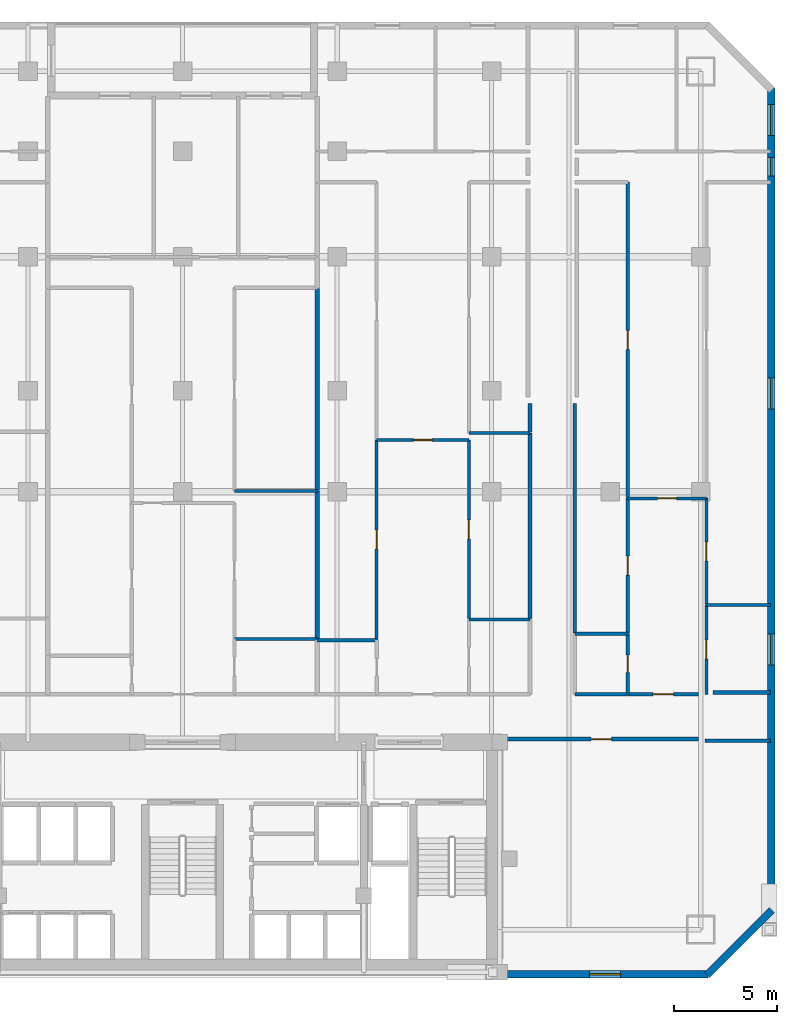
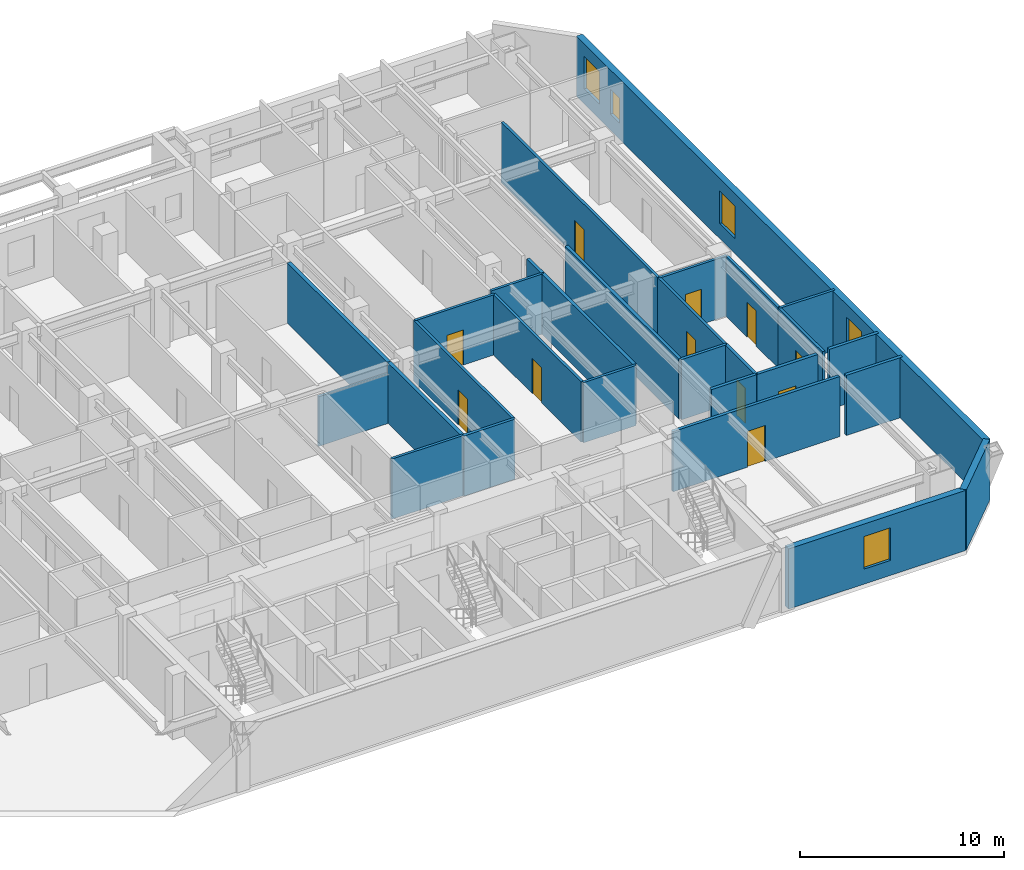
# One storey, part 6 of 10: 29 walls, 11 doors, 5 windows, 16 openings.
"""IFC4 building model written with IfcOpenShell, lengths in metres."""

from ifc_helpers import new_model, si_unit, direction, frame, frame_2d, origin, place, context, subcontext, project, spatial, rectangle, extrude, material, layer, layer_set, type_object, element, fill, save


model = new_model("IFC4")

# Units and contexts
model_context = context("Model", 3, precision=1e-05, world=origin(), true_north=direction((0.0, 1.0)))
body_context = subcontext(model_context, "Body", "Model", "MODEL_VIEW")
ifc_project = project(units=[si_unit("LENGTHUNIT", "METRE"), si_unit("AREAUNIT", "SQUARE_METRE"), si_unit("VOLUMEUNIT", "CUBIC_METRE"), si_unit("PLANEANGLEUNIT", "RADIAN"), si_unit("MASSUNIT", "GRAM", prefix="KILO")], contexts=[model_context])

# Site, building, storey
site_placement = place(None, origin())
site = spatial("IfcSite", under=ifc_project, at=site_placement, CompositionType="ELEMENT")
building_placement = place(site_placement, origin())
building = spatial("IfcBuilding", under=site, at=building_placement, Name="Ventersveld Concourse Tower", CompositionType="ELEMENT")
storey_placement = place(building_placement, frame((0.0, 0.0, 56.75)))
storey = spatial("IfcBuildingStorey", under=building, at=storey_placement, Name="L13", CompositionType="ELEMENT", Elevation=56.75)

# Wall, opening, door
ifc_material_1 = material(Name="Fire-rated autoclaved aerated masonry blockwork", Category="masonry")
ifc_layer_1 = layer(ifc_material_1, 0.179931640625)
ifc_layer_set_1 = layer_set([ifc_layer_1], Name="Fire-rated autoclaved aerated masonry blockwork")
wall_type_1 = type_object("IfcWallType", Name="WL-CORR-180", PredefinedType="PARTITIONING", material=ifc_layer_set_1)
wall_1_placement = place(storey_placement, frame((44.35498046875, 11.60009765625, 0.0), z_axis=(0.0, 0.0, 1.0), x_axis=(1.0, 0.0, 0.0)))
wall_1 = element("IfcWall", 1, at=wall_1_placement, inside=storey, type_object=wall_type_1, Name="L13 Interior Partition SP-L13-SE-OFF-SP-L13-COR", PredefinedType="PARTITIONING", context=body_context, shape_type="SweptSolid", body=[
    extrude(rectangle(XDim=9.43994140625, YDim=0.179931640625, at=frame_2d((4.719970703125, 0.0))), origin(), (0.0, 0.0, 1.0), 3.60009765625),
])
opening_1_placement = place(wall_1_placement, frame((4.219970703125, 0.0, 0.0)))
opening_1 = element("IfcOpeningElement", 2, at=opening_1_placement, cuts=wall_1, Name="Opening FD3", PredefinedType="OPENING", context=body_context, shape_type="SweptSolid", body=[
    extrude(rectangle(XDim=1.0, YDim=2.14990234375, at=frame_2d((0.5, 1.074951171875))), frame((0.0, 0.10009765625, 0.0), z_axis=(0.0, -1.0, 0.0), x_axis=(1.0, 0.0, 0.0)), (0.0, 0.0, 1.0), 0.199951171875),
])
ifc_material_2 = material(Name="Solid-core hardwood veneer timber", Category="wood")
door_type_1 = type_object("IfcDoorType", Name="DR-FLAT-100", OperationType="NOTDEFINED", PredefinedType="DOOR", material=ifc_material_2)
door_1_placement = place(opening_1_placement, origin())
door_1 = element("IfcDoor", 3, at=door_1_placement, inside=storey, type_object=door_type_1, Name="L13 Interior Door SP-L13-SE-OFF to SP-L13-COR (D-L13-0543)", OperationType="SINGLE_SWING_LEFT", OverallHeight=2.14990234375, OverallWidth=1.0, PredefinedType="DOOR", context=body_context, shape_type="SweptSolid", body=[
    extrude(rectangle(XDim=1.0, YDim=2.14990234375, at=frame_2d((0.5, 1.074951171875))), frame((0.0, 0.02490234375, 0.0), z_axis=(0.0, -1.0, 0.0), x_axis=(1.0, 0.0, 0.0)), (0.0, 0.0, 1.0), 0.050048828125),
])
fill(opening_1, door_1)

wall_2_placement = place(storey_placement, frame((50.35009765625, 13.77001953125, 0.0), z_axis=(0.0, 0.0, 1.0), x_axis=(1.0, 0.0, 0.0)))
wall_2 = element("IfcWall", 4, at=wall_2_placement, inside=storey, type_object=wall_type_1, Name="L13 Interior Partition SP-L13-COR-SP-L13-13NE-FOY", PredefinedType="PARTITIONING", context=body_context, shape_type="SweptSolid", body=[
    extrude(rectangle(XDim=3.44482421875, YDim=0.179931640625, at=frame_2d((1.722412109375, 0.0))), origin(), (0.0, 0.0, 1.0), 3.60009765625),
])
opening_2_placement = place(wall_2_placement, frame((1.222412109375, 0.0, 0.0)))
opening_2 = element("IfcOpeningElement", 5, at=opening_2_placement, cuts=wall_2, Name="Opening FD3", PredefinedType="OPENING", context=body_context, shape_type="SweptSolid", body=[
    extrude(rectangle(XDim=1.0, YDim=2.14990234375, at=frame_2d((0.5, 1.074951171875))), frame((0.0, 0.10009765625, 0.0), z_axis=(0.0, -1.0, 0.0), x_axis=(1.0, 0.0, 0.0)), (0.0, 0.0, 1.0), 0.199951171875),
])
door_2_placement = place(opening_2_placement, origin())
door_2 = element("IfcDoor", 6, at=door_2_placement, inside=storey, type_object=door_type_1, Name="L13 Interior Door SP-L13-COR to SP-L13-13NE-FOY (FD-L13-0545)", OperationType="SINGLE_SWING_LEFT", OverallHeight=2.14990234375, OverallWidth=1.0, PredefinedType="DOOR", context=body_context, shape_type="SweptSolid", body=[
    extrude(rectangle(XDim=1.0, YDim=2.14990234375, at=frame_2d((0.5, 1.074951171875))), frame((0.0, 0.02490234375, 0.0), z_axis=(0.0, -1.0, 0.0), x_axis=(1.0, 0.0, 0.0)), (0.0, 0.0, 1.0), 0.050048828125),
])
fill(opening_2, door_2)

# Walls
wall_3_placement = place(storey_placement, frame((47.784912109375, 13.77001953125, 0.0), z_axis=(0.0, 0.0, 1.0), x_axis=(1.0, 0.0, 0.0)))
element("IfcWall", 7, at=wall_3_placement, inside=storey, type_object=wall_type_1, Name="L13 Interior Partition SP-L13-COR-SP-L13-13NE-BATH", PredefinedType="PARTITIONING", context=body_context, shape_type="SweptSolid", body=[
    extrude(rectangle(XDim=2.535400390625, YDim=0.179931640625, at=frame_2d((1.267578125, 0.0))), origin(), (0.0, 0.0, 1.0), 3.60009765625),
])
wall_4_placement = place(storey_placement, frame((47.7900390625, 16.752197265625, 0.0), z_axis=(0.0, 0.0, 1.0), x_axis=(0.0, 1.0, 0.0)))
element("IfcWall", 8, at=wall_4_placement, inside=storey, type_object=wall_type_1, Name="L13 Interior Partition SP-L13-COR-SP-L13-13NE-SEML0", PredefinedType="PARTITIONING", context=body_context, shape_type="SweptSolid", body=[
    extrude(rectangle(XDim=11.142822265625, YDim=0.179931640625, at=frame_2d((5.5712890625, 0.0))), origin(), (0.0, 0.0, 1.0), 3.60009765625),
])
wall_5_placement = place(storey_placement, frame((45.610107421875, 17.438232421875, 0.0), z_axis=(0.0, 0.0, 1.0), x_axis=(0.0, 1.0, 0.0)))
element("IfcWall", 9, at=wall_5_placement, inside=storey, type_object=wall_type_1, Name="L13 Interior Partition SP-L13-COR-SP-L13-13CE-DENR", PredefinedType="PARTITIONING", context=body_context, shape_type="SweptSolid", body=[
    extrude(rectangle(XDim=9.024169921875, YDim=0.179931640625, at=frame_2d((4.51220703125, 0.0))), origin(), (0.0, 0.0, 1.0), 3.60009765625),
])
wall_6_placement = place(storey_placement, frame((45.610107421875, 26.492431640625, 0.0), z_axis=(0.0, 0.0, 1.0), x_axis=(0.0, 1.0, 0.0)))
element("IfcWall", 10, at=wall_6_placement, inside=storey, type_object=wall_type_1, Name="L13 Interior Partition SP-L13-COR-SP-L13-13CE-DENS", PredefinedType="PARTITIONING", context=body_context, shape_type="SweptSolid", body=[
    extrude(rectangle(XDim=1.402587890625, YDim=0.179931640625, at=frame_2d((0.701171875, 0.0))), origin(), (0.0, 0.0, 1.0), 3.60009765625),
])
wall_7_placement = place(storey_placement, frame((54.1123046875, 11.52001953125, 0.0), z_axis=(0.0, 0.0, 1.0), x_axis=(1.0, 0.0, 0.0)))
element("IfcWall", 11, at=wall_7_placement, inside=storey, type_object=wall_type_1, Name="L13 Room Enclosure Wall SP-L13-SE-OFF", PredefinedType="PARTITIONING", context=body_context, shape_type="SweptSolid", body=[
    extrude(rectangle(XDim=3.177734375, YDim=0.179931640625, at=frame_2d((1.5888671875, 0.0))), origin(), (0.0, 0.0, 1.0), 3.60009765625),
])
wall_8_placement = place(storey_placement, frame((57.2900390625, 13.860107421875, 0.0), z_axis=(0.0, 0.0, 1.0), x_axis=(-1.0, 0.0, 0.0)))
element("IfcWall", 12, at=wall_8_placement, inside=storey, type_object=wall_type_1, Name="L13 Room Enclosure Wall SP-L13-13NE-KIT", PredefinedType="PARTITIONING", context=body_context, shape_type="SweptSolid", body=[
    extrude(rectangle(XDim=2.787841796875, YDim=0.179931640625, at=frame_2d((1.39404296875, 0.0))), origin(), (0.0, 0.0, 1.0), 3.60009765625),
])
ifc_layer_2 = layer(ifc_material_1, 0.199951171875)
ifc_layer_set_2 = layer_set([ifc_layer_2], Name="Fire-rated autoclaved aerated masonry blockwork")
wall_type_2 = type_object("IfcWallType", Name="WL-DEMISE-200", PredefinedType="PARTITIONING", material=ifc_layer_set_2)
wall_9_placement = place(storey_placement, frame((35.2900390625, 16.44287109375, 0.0), z_axis=(0.0, 0.0, 1.0), x_axis=(0.0, 1.0, 0.0)))
element("IfcWall", 13, at=wall_9_placement, inside=storey, type_object=wall_type_2, Name="L13 Interior Partition SP-L13-13CE-DENL-SP-L13-13CM-DENR", PredefinedType="PARTITIONING", context=body_context, shape_type="SweptSolid", body=[
    extrude(rectangle(XDim=7.1953125, YDim=0.199951171875, at=frame_2d((3.59765625, 0.0))), origin(), (0.0, 0.0, 1.0), 3.60009765625),
])
wall_10_placement = place(storey_placement, frame((35.2900390625, 23.668212890625, 0.0), z_axis=(0.0, 0.0, 1.0), x_axis=(0.0, 1.0, 0.0)))
element("IfcWall", 14, at=wall_10_placement, inside=storey, type_object=wall_type_2, Name="L13 Interior Partition SP-L13-13CE-DENL-SP-L13-13CM-DENS", PredefinedType="PARTITIONING", context=body_context, shape_type="SweptSolid", body=[
    extrude(rectangle(XDim=9.796875, YDim=0.199951171875, at=frame_2d((4.8984375, 0.0))), origin(), (0.0, 0.0, 1.0), 3.60009765625),
])

# Wall, opening, door
ifc_material_3 = material(Name="Autoclaved aerated masonry blockwork", Category="masonry")
ifc_layer_3 = layer(ifc_material_3, 0.14990234375)
ifc_layer_set_3 = layer_set([ifc_layer_3], Name="Autoclaved aerated masonry blockwork")
wall_type_3 = type_object("IfcWallType", Name="WL-INT-150", PredefinedType="PARTITIONING", material=ifc_layer_set_3)
wall_11_placement = place(storey_placement, frame((50.35009765625, 23.2822265625, 0.0), z_axis=(0.0, 0.0, 1.0), x_axis=(1.0, 0.0, 0.0)))
wall_11 = element("IfcWall", 15, at=wall_11_placement, inside=storey, type_object=wall_type_3, Name="L13 Interior Partition SP-L13-13NE-FOY-SP-L13-13NE-LIV", PredefinedType="PARTITIONING", context=body_context, shape_type="SweptSolid", body=[
    extrude(rectangle(XDim=3.83203125, YDim=0.14990234375, at=frame_2d((1.916015625, 0.0))), origin(), (0.0, 0.0, 1.0), 3.60009765625),
])
opening_3_placement = place(wall_11_placement, frame((1.4560546875, 0.0, 0.0)))
opening_3 = element("IfcOpeningElement", 16, at=opening_3_placement, cuts=wall_11, Name="Opening ID1", PredefinedType="OPENING", context=body_context, shape_type="SweptSolid", body=[
    extrude(rectangle(XDim=0.919921875, YDim=2.10009765625, at=frame_2d((0.4599609375, 1.050048828125))), frame((0.0, 0.0849609375, 0.0), z_axis=(0.0, -1.0, 0.0), x_axis=(1.0, 0.0, 0.0)), (0.0, 0.0, 1.0), 0.169921875),
])
door_type_2 = type_object("IfcDoorType", Name="DR-ROOM-092", OperationType="NOTDEFINED", PredefinedType="DOOR", material=ifc_material_2)
door_3_placement = place(opening_3_placement, origin())
door_3 = element("IfcDoor", 17, at=door_3_placement, inside=storey, type_object=door_type_2, Name="L13 Interior Door SP-L13-13NE-FOY to SP-L13-13NE-LIV (D-L13-0559)", OperationType="SINGLE_SWING_LEFT", OverallHeight=2.10009765625, OverallWidth=0.919921875, PredefinedType="DOOR", context=body_context, shape_type="SweptSolid", body=[
    extrude(rectangle(XDim=0.919921875, YDim=2.10009765625, at=frame_2d((0.4599609375, 1.050048828125))), frame((0.0, 0.02490234375, 0.0), z_axis=(0.0, -1.0, 0.0), x_axis=(1.0, 0.0, 0.0)), (0.0, 0.0, 1.0), 0.050048828125),
])
fill(opening_3, door_3)

wall_12_placement = place(storey_placement, frame((50.355224609375, 16.752197265625, 0.0), z_axis=(0.0, 0.0, 1.0), x_axis=(0.0, 1.0, 0.0)))
wall_12 = element("IfcWall", 18, at=wall_12_placement, inside=storey, type_object=wall_type_3, Name="L13 Interior Partition SP-L13-13NE-FOY-SP-L13-13NE-SEML0", PredefinedType="PARTITIONING", context=body_context, shape_type="SweptSolid", body=[
    extrude(rectangle(XDim=6.534912109375, YDim=0.14990234375, at=frame_2d((3.267578125, 0.0))), origin(), (0.0, 0.0, 1.0), 3.60009765625),
])
opening_4_placement = place(wall_12_placement, frame((2.8076171875, 0.0, 0.0)))
opening_4 = element("IfcOpeningElement", 19, at=opening_4_placement, cuts=wall_12, Name="Opening ID1", PredefinedType="OPENING", context=body_context, shape_type="SweptSolid", body=[
    extrude(rectangle(XDim=0.919921875, YDim=2.10009765625, at=frame_2d((0.4599609375, 1.050048828125))), frame((0.0, 0.0849609375, 0.0), z_axis=(0.0, -1.0, 0.0), x_axis=(1.0, 0.0, 0.0)), (0.0, 0.0, 1.0), 0.169921875),
])
door_4_placement = place(opening_4_placement, origin())
door_4 = element("IfcDoor", 20, at=door_4_placement, inside=storey, type_object=door_type_2, Name="L13 Interior Door SP-L13-13NE-FOY to SP-L13-13NE-SEML0 (D-L13-0561)", OperationType="SINGLE_SWING_LEFT", OverallHeight=2.10009765625, OverallWidth=0.919921875, PredefinedType="DOOR", context=body_context, shape_type="SweptSolid", body=[
    extrude(rectangle(XDim=0.919921875, YDim=2.10009765625, at=frame_2d((0.4599609375, 1.050048828125))), frame((0.0, 0.02490234375, 0.0), z_axis=(0.0, -1.0, 0.0), x_axis=(1.0, 0.0, 0.0)), (0.0, 0.0, 1.0), 0.050048828125),
])
fill(opening_4, door_4)

wall_13_placement = place(storey_placement, frame((54.17724609375, 13.764892578125, 0.0), z_axis=(0.0, 0.0, 1.0), x_axis=(0.0, 1.0, 0.0)))
wall_13 = element("IfcWall", 21, at=wall_13_placement, inside=storey, type_object=wall_type_3, Name="L13 Interior Partition SP-L13-13NE-FOY-SP-L13-13NE-KIT", PredefinedType="PARTITIONING", context=body_context, shape_type="SweptSolid", body=[
    extrude(rectangle(XDim=4.3408203125, YDim=0.14990234375, at=frame_2d((2.17041015625, 0.0))), origin(), (0.0, 0.0, 1.0), 3.60009765625),
])
opening_5_placement = place(wall_13_placement, frame((1.71044921875, 0.0, 0.0)))
opening_5 = element("IfcOpeningElement", 22, at=opening_5_placement, cuts=wall_13, Name="Opening ID1", PredefinedType="OPENING", context=body_context, shape_type="SweptSolid", body=[
    extrude(rectangle(XDim=0.919921875, YDim=2.10009765625, at=frame_2d((0.4599609375, 1.050048828125))), frame((0.0, 0.0849609375, 0.0), z_axis=(0.0, -1.0, 0.0), x_axis=(1.0, 0.0, 0.0)), (0.0, 0.0, 1.0), 0.169921875),
])
door_5_placement = place(opening_5_placement, origin())
door_5 = element("IfcDoor", 23, at=door_5_placement, inside=storey, type_object=door_type_2, Name="L13 Interior Door SP-L13-13NE-FOY to SP-L13-13NE-KIT (D-L13-0562)", OperationType="SINGLE_SWING_RIGHT", OverallHeight=2.10009765625, OverallWidth=0.919921875, PredefinedType="DOOR", context=body_context, shape_type="SweptSolid", body=[
    extrude(rectangle(XDim=0.919921875, YDim=2.10009765625, at=frame_2d((0.4599609375, 1.050048828125))), frame((0.0, 0.02490234375, 0.0), z_axis=(0.0, -1.0, 0.0), x_axis=(1.0, 0.0, 0.0)), (0.0, 0.0, 1.0), 0.050048828125),
])
fill(opening_5, door_5)

wall_14_placement = place(storey_placement, frame((54.17724609375, 18.1357421875, 0.0), z_axis=(0.0, 0.0, 1.0), x_axis=(0.0, 1.0, 0.0)))
wall_14 = element("IfcWall", 24, at=wall_14_placement, inside=storey, type_object=wall_type_3, Name="L13 Interior Partition SP-L13-13NE-FOY-SP-L13-13NE-DENR", PredefinedType="PARTITIONING", context=body_context, shape_type="SweptSolid", body=[
    extrude(rectangle(XDim=5.1513671875, YDim=0.14990234375, at=frame_2d((2.57568359375, 0.0))), origin(), (0.0, 0.0, 1.0), 3.60009765625),
])
opening_6_placement = place(wall_14_placement, frame((2.11572265625, 0.0, 0.0)))
opening_6 = element("IfcOpeningElement", 25, at=opening_6_placement, cuts=wall_14, Name="Opening ID1", PredefinedType="OPENING", context=body_context, shape_type="SweptSolid", body=[
    extrude(rectangle(XDim=0.919921875, YDim=2.10009765625, at=frame_2d((0.4599609375, 1.050048828125))), frame((0.0, 0.0849609375, 0.0), z_axis=(0.0, -1.0, 0.0), x_axis=(1.0, 0.0, 0.0)), (0.0, 0.0, 1.0), 0.169921875),
])
door_6_placement = place(opening_6_placement, origin())
door_6 = element("IfcDoor", 26, at=door_6_placement, inside=storey, type_object=door_type_2, Name="L13 Interior Door SP-L13-13NE-FOY to SP-L13-13NE-DENR (D-L13-0563)", OperationType="SINGLE_SWING_LEFT", OverallHeight=2.10009765625, OverallWidth=0.919921875, PredefinedType="DOOR", context=body_context, shape_type="SweptSolid", body=[
    extrude(rectangle(XDim=0.919921875, YDim=2.10009765625, at=frame_2d((0.4599609375, 1.050048828125))), frame((0.0, 0.02490234375, 0.0), z_axis=(0.0, -1.0, 0.0), x_axis=(1.0, 0.0, 0.0)), (0.0, 0.0, 1.0), 0.050048828125),
])
fill(opening_6, door_6)

wall_15_placement = place(storey_placement, frame((50.355224609375, 23.317138671875, 0.0), z_axis=(0.0, 0.0, 1.0), x_axis=(0.0, 1.0, 0.0)))
wall_15 = element("IfcWall", 27, at=wall_15_placement, inside=storey, type_object=wall_type_3, Name="L13 Interior Partition SP-L13-13NE-LIV-SP-L13-13NE-SEML0", PredefinedType="PARTITIONING", context=body_context, shape_type="SweptSolid", body=[
    extrude(rectangle(XDim=15.307861328125, YDim=0.14990234375, at=frame_2d((7.65380859375, 0.0))), origin(), (0.0, 0.0, 1.0), 3.60009765625),
])
opening_7_placement = place(wall_15_placement, frame((7.19384765625, 0.0, 0.0)))
opening_7 = element("IfcOpeningElement", 28, at=opening_7_placement, cuts=wall_15, Name="Opening ID1", PredefinedType="OPENING", context=body_context, shape_type="SweptSolid", body=[
    extrude(rectangle(XDim=0.919921875, YDim=2.10009765625, at=frame_2d((0.4599609375, 1.050048828125))), frame((0.0, 0.0849609375, 0.0), z_axis=(0.0, -1.0, 0.0), x_axis=(1.0, 0.0, 0.0)), (0.0, 0.0, 1.0), 0.169921875),
])
door_7_placement = place(opening_7_placement, origin())
door_7 = element("IfcDoor", 29, at=door_7_placement, inside=storey, type_object=door_type_2, Name="L13 Interior Door SP-L13-13NE-LIV to SP-L13-13NE-SEML0 (D-L13-0564)", OperationType="SINGLE_SWING_RIGHT", OverallHeight=2.10009765625, OverallWidth=0.919921875, PredefinedType="DOOR", context=body_context, shape_type="SweptSolid", body=[
    extrude(rectangle(XDim=0.919921875, YDim=2.10009765625, at=frame_2d((0.4599609375, 1.050048828125))), frame((0.0, 0.02490234375, 0.0), z_axis=(0.0, -1.0, 0.0), x_axis=(1.0, 0.0, 0.0)), (0.0, 0.0, 1.0), 0.050048828125),
])
fill(opening_7, door_7)

# Wall
wall_16_placement = place(storey_placement, frame((54.172119140625, 18.100830078125, 0.0), z_axis=(0.0, 0.0, 1.0), x_axis=(1.0, 0.0, 0.0)))
element("IfcWall", 30, at=wall_16_placement, inside=storey, type_object=wall_type_3, Name="L13 Interior Partition SP-L13-13NE-KIT-SP-L13-13NE-DENR", PredefinedType="PARTITIONING", context=body_context, shape_type="SweptSolid", body=[
    extrude(rectangle(XDim=3.117919921875, YDim=0.14990234375, at=frame_2d((1.55908203125, 0.0))), origin(), (0.0, 0.0, 1.0), 3.60009765625),
])

# Wall, opening, door
wall_17_placement = place(storey_placement, frame((38.16064453125, 26.11181640625, 0.0), z_axis=(0.0, 0.0, 1.0), x_axis=(1.0, 0.0, 0.0)))
wall_17 = element("IfcWall", 31, at=wall_17_placement, inside=storey, type_object=wall_type_3, Name="L13 Interior Partition SP-L13-13CE-FOY-SP-L13-13CE-LIV", PredefinedType="PARTITIONING", context=body_context, shape_type="SweptSolid", body=[
    extrude(rectangle(XDim=4.494384765625, YDim=0.14990234375, at=frame_2d((2.2470703125, 0.0))), origin(), (0.0, 0.0, 1.0), 3.60009765625),
])
opening_8_placement = place(wall_17_placement, frame((1.787109375, 0.0, 0.0)))
opening_8 = element("IfcOpeningElement", 32, at=opening_8_placement, cuts=wall_17, Name="Opening ID1", PredefinedType="OPENING", context=body_context, shape_type="SweptSolid", body=[
    extrude(rectangle(XDim=0.919921875, YDim=2.10009765625, at=frame_2d((0.4599609375, 1.050048828125))), frame((0.0, 0.0849609375, 0.0), z_axis=(0.0, -1.0, 0.0), x_axis=(1.0, 0.0, 0.0)), (0.0, 0.0, 1.0), 0.169921875),
])
door_8_placement = place(opening_8_placement, origin())
door_8 = element("IfcDoor", 33, at=door_8_placement, inside=storey, type_object=door_type_2, Name="L13 Interior Door SP-L13-13CE-FOY to SP-L13-13CE-LIV (D-L13-0577)", OperationType="SINGLE_SWING_LEFT", OverallHeight=2.10009765625, OverallWidth=0.919921875, PredefinedType="DOOR", context=body_context, shape_type="SweptSolid", body=[
    extrude(rectangle(XDim=0.919921875, YDim=2.10009765625, at=frame_2d((0.4599609375, 1.050048828125))), frame((0.0, 0.02490234375, 0.0), z_axis=(0.0, -1.0, 0.0), x_axis=(1.0, 0.0, 0.0)), (0.0, 0.0, 1.0), 0.050048828125),
])
fill(opening_8, door_8)

wall_18_placement = place(storey_placement, frame((38.16552734375, 16.433349609375, 0.0), z_axis=(0.0, 0.0, 1.0), x_axis=(0.0, 1.0, 0.0)))
wall_18 = element("IfcWall", 34, at=wall_18_placement, inside=storey, type_object=wall_type_3, Name="L13 Interior Partition SP-L13-13CE-FOY-SP-L13-13CE-DENL", PredefinedType="PARTITIONING", context=body_context, shape_type="SweptSolid", body=[
    extrude(rectangle(XDim=9.683349609375, YDim=0.14990234375, at=frame_2d((4.841796875, 0.0))), origin(), (0.0, 0.0, 1.0), 3.60009765625),
])
opening_9_placement = place(wall_18_placement, frame((4.381591796875, 0.0, 0.0)))
opening_9 = element("IfcOpeningElement", 35, at=opening_9_placement, cuts=wall_18, Name="Opening ID1", PredefinedType="OPENING", context=body_context, shape_type="SweptSolid", body=[
    extrude(rectangle(XDim=0.919921875, YDim=2.10009765625, at=frame_2d((0.4599609375, 1.050048828125))), frame((0.0, 0.0849609375, 0.0), z_axis=(0.0, -1.0, 0.0), x_axis=(1.0, 0.0, 0.0)), (0.0, 0.0, 1.0), 0.169921875),
])
door_9_placement = place(opening_9_placement, origin())
door_9 = element("IfcDoor", 36, at=door_9_placement, inside=storey, type_object=door_type_2, Name="L13 Interior Door SP-L13-13CE-FOY to SP-L13-13CE-DENL (D-L13-0579)", OperationType="SINGLE_SWING_LEFT", OverallHeight=2.10009765625, OverallWidth=0.919921875, PredefinedType="DOOR", context=body_context, shape_type="SweptSolid", body=[
    extrude(rectangle(XDim=0.919921875, YDim=2.10009765625, at=frame_2d((0.4599609375, 1.050048828125))), frame((0.0, 0.02490234375, 0.0), z_axis=(0.0, -1.0, 0.0), x_axis=(1.0, 0.0, 0.0)), (0.0, 0.0, 1.0), 0.050048828125),
])
fill(opening_9, door_9)

wall_19_placement = place(storey_placement, frame((42.64990234375, 17.438232421875, 0.0), z_axis=(0.0, 0.0, 1.0), x_axis=(0.0, 1.0, 0.0)))
wall_19 = element("IfcWall", 37, at=wall_19_placement, inside=storey, type_object=wall_type_3, Name="L13 Interior Partition SP-L13-13CE-FOY-SP-L13-13CE-DENR", PredefinedType="PARTITIONING", context=body_context, shape_type="SweptSolid", body=[
    extrude(rectangle(XDim=8.678466796875, YDim=0.14990234375, at=frame_2d((4.33935546875, 0.0))), origin(), (0.0, 0.0, 1.0), 3.60009765625),
])
opening_10_placement = place(wall_19_placement, frame((3.87939453125, 0.0, 0.0)))
opening_10 = element("IfcOpeningElement", 38, at=opening_10_placement, cuts=wall_19, Name="Opening ID1", PredefinedType="OPENING", context=body_context, shape_type="SweptSolid", body=[
    extrude(rectangle(XDim=0.919921875, YDim=2.10009765625, at=frame_2d((0.4599609375, 1.050048828125))), frame((0.0, 0.0849609375, 0.0), z_axis=(0.0, -1.0, 0.0), x_axis=(1.0, 0.0, 0.0)), (0.0, 0.0, 1.0), 0.169921875),
])
door_10_placement = place(opening_10_placement, origin())
door_10 = element("IfcDoor", 39, at=door_10_placement, inside=storey, type_object=door_type_2, Name="L13 Interior Door SP-L13-13CE-FOY to SP-L13-13CE-DENR (D-L13-0581)", OperationType="SINGLE_SWING_LEFT", OverallHeight=2.10009765625, OverallWidth=0.919921875, PredefinedType="DOOR", context=body_context, shape_type="SweptSolid", body=[
    extrude(rectangle(XDim=0.919921875, YDim=2.10009765625, at=frame_2d((0.4599609375, 1.050048828125))), frame((0.0, 0.02490234375, 0.0), z_axis=(0.0, -1.0, 0.0), x_axis=(1.0, 0.0, 0.0)), (0.0, 0.0, 1.0), 0.050048828125),
])
fill(opening_10, door_10)

# Walls
for number, where, z_axis, x_axis, name in (
    (40, (42.64501953125, 17.4033203125, 0.0), (0.0, 0.0, 1.0), (1.0, 0.0, 0.0), "L13 Interior Partition SP-L13-13CE-KIT-SP-L13-13CE-DENR"),
    (41, (42.64501953125, 26.45751953125, 0.0), (0.0, 0.0, 1.0), (1.0, 0.0, 0.0), "L13 Interior Partition SP-L13-13CE-DENR-SP-L13-13CE-DENS"),
):
    element("IfcWall", number, at=place(storey_placement, frame(where, z_axis=z_axis, x_axis=x_axis)), inside=storey, type_object=wall_type_3, Name=name, PredefinedType="PARTITIONING", context=body_context, shape_type="SweptSolid", body=[
        extrude(rectangle(XDim=2.969970703125, YDim=0.14990234375, at=frame_2d((1.48486328125, 0.0))), origin(), (0.0, 0.0, 1.0), 3.60009765625),
    ])
wall_20_placement = place(storey_placement, frame((31.26171875, 16.447998046875, 0.0), z_axis=(0.0, 0.0, 1.0), x_axis=(1.0, 0.0, 0.0)))
element("IfcWall", 42, at=wall_20_placement, inside=storey, type_object=wall_type_3, Name="L13 Interior Partition SP-L13-13CM-KIT-SP-L13-13CM-DENR", PredefinedType="PARTITIONING", context=body_context, shape_type="SweptSolid", body=[
    extrude(rectangle(XDim=4.033203125, YDim=0.14990234375, at=frame_2d((2.0166015625, 0.0))), origin(), (0.0, 0.0, 1.0), 3.60009765625),
])
wall_21_placement = place(storey_placement, frame((31.26171875, 23.633056640625, 0.0), z_axis=(0.0, 0.0, 1.0), x_axis=(1.0, 0.0, 0.0)))
element("IfcWall", 43, at=wall_21_placement, inside=storey, type_object=wall_type_3, Name="L13 Interior Partition SP-L13-13CM-DENR-SP-L13-13CM-DENS", PredefinedType="PARTITIONING", context=body_context, shape_type="SweptSolid", body=[
    extrude(rectangle(XDim=4.033203125, YDim=0.14990234375, at=frame_2d((2.0166015625, 0.0))), origin(), (0.0, 0.0, 1.0), 2.964111328125),
])

# Wall, opening, window
ifc_material_4 = material(Name="Precast concrete C45/55", Category="concrete")
ifc_layer_4 = layer(ifc_material_4, 0.35009765625)
ifc_layer_set_4 = layer_set([ifc_layer_4], Name="Precast concrete C45/55")
wall_type_4 = type_object("IfcWallType", Name="WL-PREC-350", PredefinedType="SOLIDWALL", material=ifc_layer_set_4)
wall_22_placement = place(storey_placement, frame((44.25, 0.179931640625, 0.0), z_axis=(0.0, 0.0, 1.0), x_axis=(1.0, 0.0, 0.0)))
wall_22 = element("IfcWall", 44, at=wall_22_placement, inside=storey, type_object=wall_type_4, Name="L13 South-East Flank Precast Wall", PredefinedType="SOLIDWALL", context=body_context, shape_type="SweptSolid", body=[
    extrude(rectangle(XDim=10.010009765625, YDim=0.35009765625, at=frame_2d((5.0048828125, 0.0))), origin(), (0.0, 0.0, 1.0), 3.60009765625),
])
opening_11_placement = place(wall_22_placement, frame((4.2548828125, 0.0, 0.89990234375)))
opening_11 = element("IfcOpeningElement", 45, at=opening_11_placement, cuts=wall_22, Name="Opening W1", PredefinedType="OPENING", context=body_context, shape_type="SweptSolid", body=[
    extrude(rectangle(XDim=1.5, YDim=1.949951171875, at=frame_2d((0.75, 0.97509765625))), frame((0.0, 0.18505859375, 0.0), z_axis=(0.0, -1.0, 0.0), x_axis=(1.0, 0.0, 0.0)), (0.0, 0.0, 1.0), 0.3701171875),
])
ifc_material_5 = material(Name="Tempered acoustic Low-E IGU", Category="glass")
window_type_1 = type_object("IfcWindowType", Name="WIN-150x210", PartitioningType="SINGLE_PANEL", PredefinedType="WINDOW", material=ifc_material_5)
window_1_placement = place(opening_11_placement, origin())
window_1 = element("IfcWindow", 46, at=window_1_placement, inside=storey, type_object=window_type_1, Name="L13 Punched Low-E Window W-0092", OverallHeight=1.949951171875, OverallWidth=1.5, PartitioningType="SINGLE_PANEL", PredefinedType="WINDOW", context=body_context, shape_type="SweptSolid", body=[
    extrude(rectangle(XDim=1.5, YDim=1.949951171875, at=frame_2d((0.75, 0.97509765625))), frame((0.0, 0.030029296875, 0.0), z_axis=(0.0, -1.0, 0.0), x_axis=(1.0, 0.0, 0.0)), (0.0, 0.0, 1.0), 0.06005859375),
])
fill(opening_11, window_1)

# Wall
wall_23_placement = place(storey_placement, frame((54.20458984375, 0.152099609375, 0.0), z_axis=(0.0, 0.0, 1.0), x_axis=(0.707106781187, 0.707106781187, 0.0)))
element("IfcWall", 47, at=wall_23_placement, inside=storey, type_object=wall_type_4, Name="L13 Highveld Precast Facade Wall E02", PredefinedType="SOLIDWALL", context=body_context, shape_type="SweptSolid", body=[
    extrude(rectangle(XDim=4.4453125, YDim=0.35009765625, at=frame_2d((2.22265625, 0.0))), origin(), (0.0, 0.0, 1.0), 3.60009765625),
])

# Wall, openings, windows
wall_24_placement = place(storey_placement, frame((57.324951171875, 3.239990234375, 0.0), z_axis=(0.0, 0.0, 1.0), x_axis=(0.0, 1.0, 0.0)))
wall_24 = element("IfcWall", 48, at=wall_24_placement, inside=storey, type_object=wall_type_4, Name="L13 Highveld Precast Facade Wall E03", PredefinedType="SOLIDWALL", context=body_context, shape_type="SweptSolid", body=[
    extrude(rectangle(XDim=39.919921875, YDim=0.35009765625, at=frame_2d((19.9599609375, 0.0))), origin(), (0.0, 0.0, 1.0), 3.60009765625),
])
opening_12_placement = place(wall_24_placement, frame((35.679931640625, 0.0, 0.949951171875)))
opening_12 = element("IfcOpeningElement", 49, at=opening_12_placement, cuts=wall_24, Name="Opening W4", PredefinedType="OPENING", context=body_context, shape_type="SweptSolid", body=[
    extrude(rectangle(XDim=0.89990234375, YDim=1.5, at=frame_2d((0.449951171875, 0.75))), frame((0.0, 0.18505859375, 0.0), z_axis=(0.0, -1.0, 0.0), x_axis=(1.0, 0.0, 0.0)), (0.0, 0.0, 1.0), 0.3701171875),
])
opening_13_placement = place(wall_24_placement, frame((11.9453125, 0.0, 0.89990234375)))
opening_13 = element("IfcOpeningElement", 50, at=opening_13_placement, cuts=wall_24, Name="Opening W1", PredefinedType="OPENING", context=body_context, shape_type="SweptSolid", body=[
    extrude(rectangle(XDim=1.5, YDim=1.949951171875, at=frame_2d((0.75, 0.97509765625))), frame((0.0, 0.18505859375, 0.0), z_axis=(0.0, -1.0, 0.0), x_axis=(1.0, 0.0, 0.0)), (0.0, 0.0, 1.0), 0.3701171875),
])
opening_14_placement = place(wall_24_placement, frame((24.370361328125, 0.0, 0.89990234375)))
opening_14 = element("IfcOpeningElement", 51, at=opening_14_placement, cuts=wall_24, Name="Opening W1", PredefinedType="OPENING", context=body_context, shape_type="SweptSolid", body=[
    extrude(rectangle(XDim=1.5, YDim=1.949951171875, at=frame_2d((0.75, 0.97509765625))), frame((0.0, 0.18505859375, 0.0), z_axis=(0.0, -1.0, 0.0), x_axis=(1.0, 0.0, 0.0)), (0.0, 0.0, 1.0), 0.3701171875),
])
opening_15_placement = place(wall_24_placement, frame((37.64990234375, 0.0, 0.89990234375)))
opening_15 = element("IfcOpeningElement", 52, at=opening_15_placement, cuts=wall_24, Name="Opening W1", PredefinedType="OPENING", context=body_context, shape_type="SweptSolid", body=[
    extrude(rectangle(XDim=1.5, YDim=1.949951171875, at=frame_2d((0.75, 0.97509765625))), frame((0.0, 0.18505859375, 0.0), z_axis=(0.0, -1.0, 0.0), x_axis=(1.0, 0.0, 0.0)), (0.0, 0.0, 1.0), 0.3701171875),
])
window_type_2 = type_object("IfcWindowType", Name="WIN-090x150", PartitioningType="SINGLE_PANEL", PredefinedType="WINDOW", material=ifc_material_5)
window_2_placement = place(opening_12_placement, origin())
window_2 = element("IfcWindow", 53, at=window_2_placement, inside=storey, type_object=window_type_2, Name="L13 Punched Low-E Window W-0097", OverallHeight=1.5, OverallWidth=0.89990234375, PartitioningType="SINGLE_PANEL", PredefinedType="WINDOW", context=body_context, shape_type="SweptSolid", body=[
    extrude(rectangle(XDim=0.89990234375, YDim=1.5, at=frame_2d((0.449951171875, 0.75))), frame((0.0, 0.030029296875, 0.0), z_axis=(0.0, -1.0, 0.0), x_axis=(1.0, 0.0, 0.0)), (0.0, 0.0, 1.0), 0.06005859375),
])
fill(opening_12, window_2)
window_3_placement = place(opening_13_placement, origin())
window_3 = element("IfcWindow", 54, at=window_3_placement, inside=storey, type_object=window_type_1, Name="L13 Punched Low-E Window W-0098", OverallHeight=1.949951171875, OverallWidth=1.5, PartitioningType="SINGLE_PANEL", PredefinedType="WINDOW", context=body_context, shape_type="SweptSolid", body=[
    extrude(rectangle(XDim=1.5, YDim=1.949951171875, at=frame_2d((0.75, 0.97509765625))), frame((0.0, 0.030029296875, 0.0), z_axis=(0.0, -1.0, 0.0), x_axis=(1.0, 0.0, 0.0)), (0.0, 0.0, 1.0), 0.06005859375),
])
fill(opening_13, window_3)
window_4_placement = place(opening_14_placement, origin())
window_4 = element("IfcWindow", 55, at=window_4_placement, inside=storey, type_object=window_type_1, Name="L13 Punched Low-E Window W-0099", OverallHeight=1.949951171875, OverallWidth=1.5, PartitioningType="SINGLE_PANEL", PredefinedType="WINDOW", context=body_context, shape_type="SweptSolid", body=[
    extrude(rectangle(XDim=1.5, YDim=1.949951171875, at=frame_2d((0.75, 0.97509765625))), frame((0.0, 0.030029296875, 0.0), z_axis=(0.0, -1.0, 0.0), x_axis=(1.0, 0.0, 0.0)), (0.0, 0.0, 1.0), 0.06005859375),
])
fill(opening_14, window_4)
window_5_placement = place(opening_15_placement, origin())
window_5 = element("IfcWindow", 56, at=window_5_placement, inside=storey, type_object=window_type_1, Name="L13 Punched Low-E Window W-0101", OverallHeight=1.949951171875, OverallWidth=1.5, PartitioningType="SINGLE_PANEL", PredefinedType="WINDOW", context=body_context, shape_type="SweptSolid", body=[
    extrude(rectangle(XDim=1.5, YDim=1.949951171875, at=frame_2d((0.75, 0.97509765625))), frame((0.0, 0.030029296875, 0.0), z_axis=(0.0, -1.0, 0.0), x_axis=(1.0, 0.0, 0.0)), (0.0, 0.0, 1.0), 0.06005859375),
])
fill(opening_15, window_5)

# Wall, opening, door
ifc_layer_5 = layer(ifc_material_3, 0.1650390625)
ifc_layer_set_5 = layer_set([ifc_layer_5], Name="Autoclaved aerated masonry blockwork")
wall_type_5 = type_object("IfcWallType", Name="WL-WET-165", PredefinedType="PLUMBINGWALL", material=ifc_layer_set_5)
wall_25_placement = place(storey_placement, frame((50.355224609375, 13.764892578125, 0.0), z_axis=(0.0, 0.0, 1.0), x_axis=(0.0, 1.0, 0.0)))
wall_25 = element("IfcWall", 57, at=wall_25_placement, inside=storey, type_object=wall_type_5, Name="L13 Interior Partition SP-L13-13NE-FOY-SP-L13-13NE-BATH", PredefinedType="PLUMBINGWALL", context=body_context, shape_type="SweptSolid", body=[
    extrude(rectangle(XDim=2.957275390625, YDim=0.1650390625, at=frame_2d((1.478515625, 0.0))), origin(), (0.0, 0.0, 1.0), 3.60009765625),
])
opening_16_placement = place(wall_25_placement, frame((1.0537109375, 0.0, 0.0)))
opening_16 = element("IfcOpeningElement", 58, at=opening_16_placement, cuts=wall_25, Name="Opening ID2", PredefinedType="OPENING", context=body_context, shape_type="SweptSolid", body=[
    extrude(rectangle(XDim=0.85009765625, YDim=2.10009765625, at=frame_2d((0.425048828125, 1.050048828125))), frame((0.0, 0.092529296875, 0.0), z_axis=(0.0, -1.0, 0.0), x_axis=(1.0, 0.0, 0.0)), (0.0, 0.0, 1.0), 0.18505859375),
])
door_type_3 = type_object("IfcDoorType", Name="DR-BATH-085", OperationType="NOTDEFINED", PredefinedType="DOOR", material=ifc_material_2)
door_11_placement = place(opening_16_placement, origin())
door_11 = element("IfcDoor", 59, at=door_11_placement, inside=storey, type_object=door_type_3, Name="L13 Interior Door SP-L13-13NE-FOY to SP-L13-13NE-BATH (D-L13-0560)", OperationType="SINGLE_SWING_RIGHT", OverallHeight=2.10009765625, OverallWidth=0.85009765625, PredefinedType="DOOR", context=body_context, shape_type="SweptSolid", body=[
    extrude(rectangle(XDim=0.85009765625, YDim=2.10009765625, at=frame_2d((0.425048828125, 1.050048828125))), frame((0.0, 0.02490234375, 0.0), z_axis=(0.0, -1.0, 0.0), x_axis=(1.0, 0.0, 0.0)), (0.0, 0.0, 1.0), 0.050048828125),
])
fill(opening_16, door_11)

# Walls
wall_26_placement = place(storey_placement, frame((47.784912109375, 16.717041015625, 0.0), z_axis=(0.0, 0.0, 1.0), x_axis=(1.0, 0.0, 0.0)))
element("IfcWall", 60, at=wall_26_placement, inside=storey, type_object=wall_type_5, Name="L13 Interior Partition SP-L13-13NE-BATH-SP-L13-13NE-SEML0", PredefinedType="PLUMBINGWALL", context=body_context, shape_type="SweptSolid", body=[
    extrude(rectangle(XDim=2.5751953125, YDim=0.1650390625, at=frame_2d((1.28759765625, 0.0))), origin(), (0.0, 0.0, 1.0), 3.60009765625),
])
wall_27_placement = place(storey_placement, frame((35.284912109375, 16.3984375, 0.0), z_axis=(0.0, 0.0, 1.0), x_axis=(1.0, 0.0, 0.0)))
element("IfcWall", 61, at=wall_27_placement, inside=storey, type_object=wall_type_5, Name="L13 Interior Partition SP-L13-13CE-BATH-SP-L13-13CE-DENL", PredefinedType="PLUMBINGWALL", context=body_context, shape_type="SweptSolid", body=[
    extrude(rectangle(XDim=2.8857421875, YDim=0.1650390625, at=frame_2d((1.44287109375, 0.0))), origin(), (0.0, 0.0, 1.0), 3.60009765625),
])

save(model, "model.ifc")
